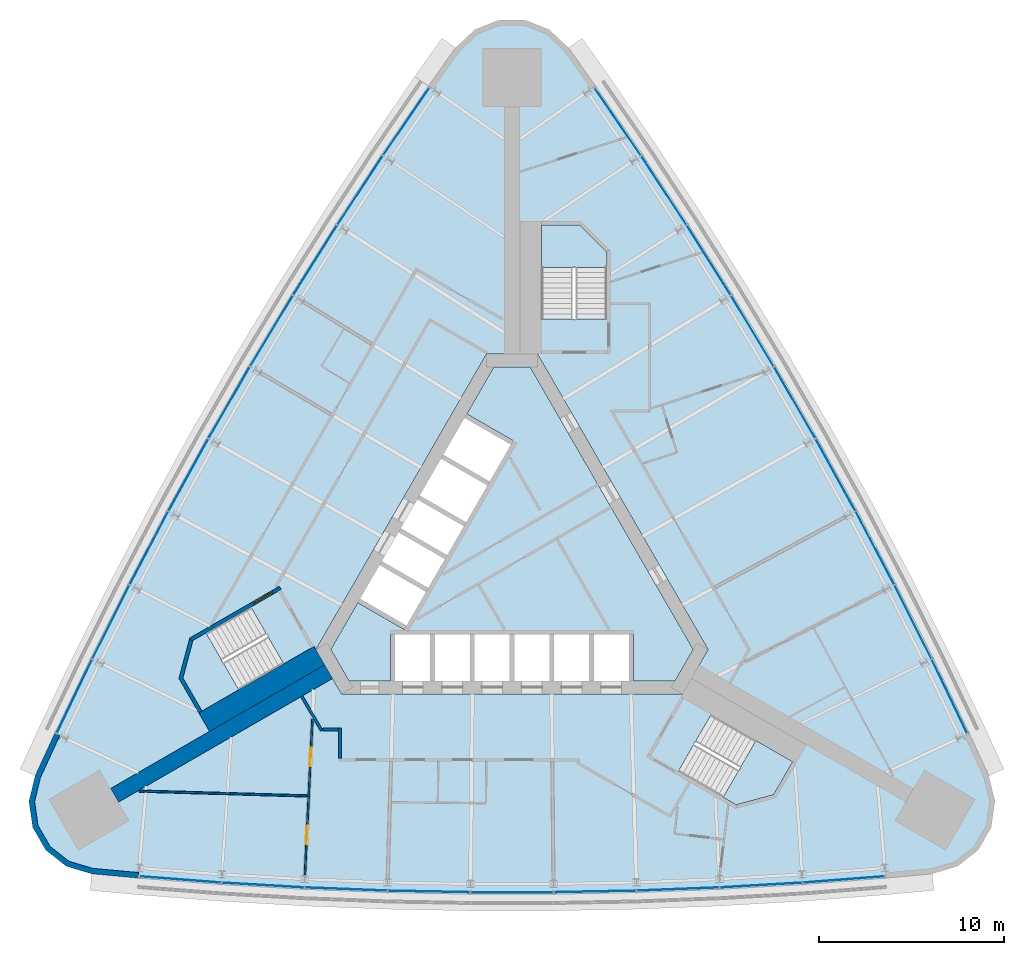
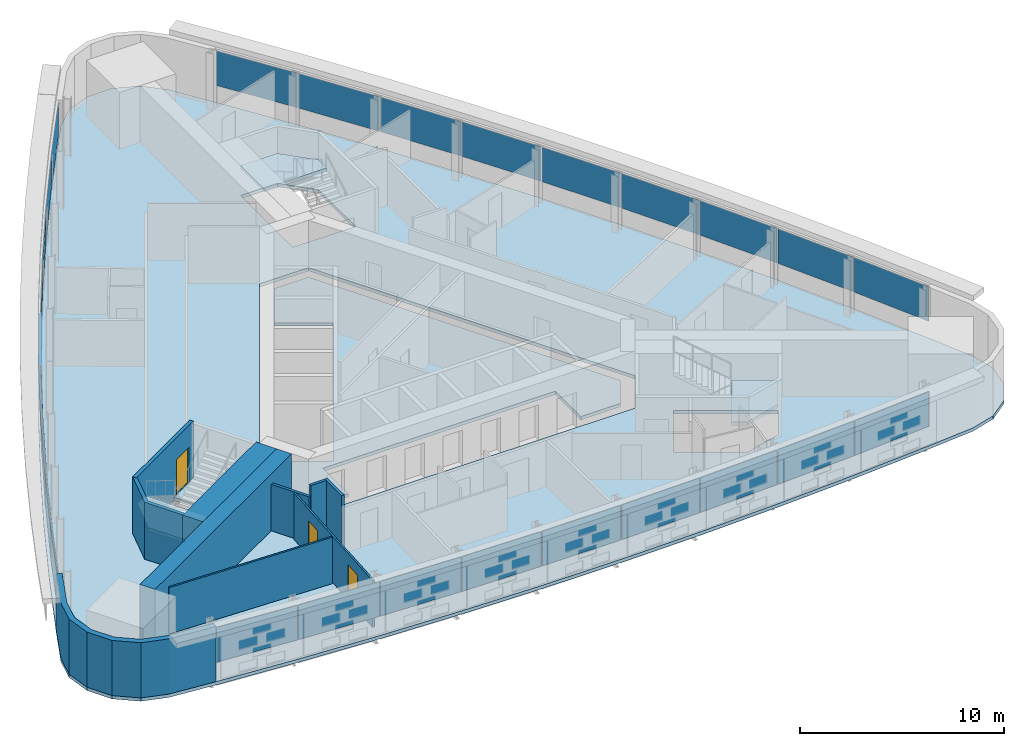
# One storey, part 8 of 14: 27 plates, 10 walls, 5 slabs, 3 doors, 3 openings, 6 elements without a shape of their own.
"""IFC4 building model written with IfcOpenShell, lengths in metres."""

from ifc_helpers import new_model, si_unit, direction, frame, frame_2d, origin, origin_2d, place, context, subcontext, project, spatial, polyline, rectangle, outline, extrude, material, layer, layer_set, type_object, element, fill, aggregate, save


model = new_model("IFC4")

# Units and contexts
model_context = context("Model", 3, precision=1e-05, world=origin(), true_north=direction((0.0, 1.0)))
body_context = subcontext(model_context, "Body", "Model", "MODEL_VIEW")
ifc_project = project(units=[si_unit("LENGTHUNIT", "METRE"), si_unit("AREAUNIT", "SQUARE_METRE"), si_unit("VOLUMEUNIT", "CUBIC_METRE"), si_unit("PLANEANGLEUNIT", "RADIAN"), si_unit("MASSUNIT", "GRAM", prefix="KILO")], contexts=[model_context])

# Site, building, storey
site_placement = place(None, origin())
site = spatial("IfcSite", under=ifc_project, at=site_placement, CompositionType="ELEMENT")
building_placement = place(site_placement, origin())
building = spatial("IfcBuilding", under=site, at=building_placement, Name="Noor Cloister Tower", CompositionType="ELEMENT")
storey_placement = place(building_placement, frame((0.0, 0.0, 76.199951171875)))
storey = spatial("IfcBuildingStorey", under=building, at=storey_placement, Name="L19", CompositionType="ELEMENT", Elevation=76.199951171875)

# Slabs
ifc_material_1 = material(Name="Concrete C40/50", Category="concrete")
ifc_layer_1 = layer(ifc_material_1, 0.199951171875)
ifc_layer_set_1 = layer_set([ifc_layer_1], Name="Core floor slab 200 C40/50")
slab_type_1 = type_object("IfcSlabType", Name="Core floor slab 200 C40/50", PredefinedType="FLOOR", material=ifc_layer_set_1)
slab_1_placement = place(storey_placement, frame((0.0, 0.0, -0.199951171875)))
element("IfcSlab", 1, at=slab_1_placement, inside=storey, type_object=slab_type_1, Name="Core floor L19", PredefinedType="FLOOR", context=body_context, shape_type="SweptSolid", body=[
    extrude(outline(polyline([(-6.574951171875, -6.228271484375), (-6.574951171875, -3.728271484375), (6.574951171875, -3.728271484375), (6.574951171875, -6.228271484375), (8.82470703125, -6.228271484375), (9.80615234375, -4.5283203125), (0.9814453125, 10.75634765625), (-0.9814453125, 10.75634765625), (-2.44384765625, 8.2236328125), (0.067626953125, 6.773681640625), (-5.832275390625, -3.4453125), (-8.34375, -1.995361328125), (-9.80615234375, -4.5283203125), (-8.82470703125, -6.228271484375), (-6.574951171875, -6.228271484375)])), origin(), (0.0, 0.0, 1.0), 0.199951171875),
])
ifc_material_2 = material(Name="Concrete C40/50", Category="concrete")
ifc_layer_2 = layer(ifc_material_2, 0.199951171875)
ifc_layer_set_2 = layer_set([ifc_layer_2], Name="Floor slab 200 C40/50")
slab_type_2 = type_object("IfcSlabType", Name="Floor slab 200 C40/50", PredefinedType="FLOOR", material=ifc_layer_set_2)
slab_2_placement = place(storey_placement, frame((0.0, 0.0, -0.199951171875)))
element("IfcSlab", 2, at=slab_2_placement, inside=storey, type_object=slab_type_2, Name="Floor slab L19", PredefinedType="FLOOR", context=body_context, shape_type="SweptSolid", body=[
    extrude(outline(polyline([(3.05908203125, 28.035888671875), (2.029052734375, 29.013916015625), (0.710205078125, 29.540283203125), (-0.710205078125, 29.540283203125), (-2.029052734375, 29.013916015625), (-3.05908203125, 28.035888671875), (-4.524169921875, 25.96533203125), (-7.06787109375, 22.25341796875), (-9.53955078125, 18.492919921875), (-11.938232421875, 14.685546875), (-14.262939453125, 10.832763671875), (-16.5126953125, 6.935546875), (-18.687255859375, 2.995849609375), (-20.78515625, -0.985107421875), (-22.805908203125, -5.005615234375), (-24.748779296875, -9.064697265625), (-25.809326171875, -11.36865234375), (-26.141357421875, -12.74951171875), (-25.937744140625, -14.1552734375), (-25.227783203125, -15.38525390625), (-24.112060546875, -16.26416015625), (-22.750244140625, -16.6669921875), (-20.224609375, -16.900634765625), (-15.738037109375, -17.24755859375), (-11.24560546875, -17.508056640625), (-6.7490234375, -17.681640625), (-2.25, -17.768310546875), (2.25, -17.768310546875), (6.7490234375, -17.681640625), (11.24560546875, -17.508056640625), (15.738037109375, -17.24755859375), (20.224609375, -16.900634765625), (22.750244140625, -16.6669921875), (24.112060546875, -16.26416015625), (25.227783203125, -15.38525390625), (25.937744140625, -14.1552734375), (26.141357421875, -12.74951171875), (25.809326171875, -11.36865234375), (24.748779296875, -9.064697265625), (22.805908203125, -5.005615234375), (20.78515625, -0.985107421875), (18.687255859375, 2.995849609375), (16.5126953125, 6.935546875), (14.262939453125, 10.832763671875), (11.938232421875, 14.685546875), (9.53955078125, 18.492919921875), (7.06787109375, 22.25341796875), (4.524169921875, 25.96533203125), (3.05908203125, 28.035888671875)]), holes=[polyline([(8.999755859375, -11.126220703125), (12.131591796875, -12.934326171875), (14.1572265625, -12.3916015625), (15.19091796875, -10.601318359375), (10.774658203125, -8.0517578125), (8.999755859375, -11.126220703125)]), polyline([(-17.81005859375, -6.064697265625), (-16.776611328125, -7.85498046875), (-12.3603515625, -5.305419921875), (-14.13525390625, -2.23095703125), (-16.662841796875, -3.690185546875), (-17.267333984375, -4.039306640625), (-17.81005859375, -6.064697265625)]), polyline([(-10.6142578125, -4.5283203125), (-9.228759765625, -6.92822265625), (9.228759765625, -6.92822265625), (10.6142578125, -4.5283203125), (1.3857421875, 11.456298828125), (-1.3857421875, 11.456298828125), (-10.6142578125, -4.5283203125)]), polyline([(3.65283203125, 18.456298828125), (1.585693359375, 18.456298828125), (1.585693359375, 13.35693359375), (5.135498046875, 13.35693359375), (5.135498046875, 16.9736328125), (3.65283203125, 18.456298828125)])]), origin(), (0.0, 0.0, 1.0), 0.199951171875),
])

# Curtain wall, plates
ifc_material_3 = material(Name="Aluminium 6063-T6 anodised", Category="aluminium")
curtain_wall_type = type_object("IfcCurtainWallType", Name="Ribbon curtain wall, lower tower CW1", PredefinedType="NOTDEFINED", material=ifc_material_3)
curtain_wall_1_placement = place(storey_placement, origin())
curtain_wall_1 = element("IfcCurtainWall", 3, at=curtain_wall_1_placement, inside=storey, type_object=curtain_wall_type, Name="CW1 L19 NW run 1", PredefinedType="NOTDEFINED")
ifc_material_4 = material(Name="Clear laminated glass 2 x 8 mm", Category="glass")
ifc_layer_3 = layer(ifc_material_4, 0.028076171875)
ifc_layer_set_3 = layer_set([ifc_layer_3], Name="Glass panel CW1")
plate_type = type_object("IfcPlateType", Name="Glass panel CW1", PredefinedType="CURTAIN_PANEL", material=ifc_layer_set_3)
plate_1_placement = place(storey_placement, frame((-5.724609375, 24.03662109375, 1.08984375), z_axis=(0.0, 0.0, 1.0), x_axis=(-0.56527615209, -0.82490173468, 0.0)))
plate_1 = element("IfcPlate", 4, at=plate_1_placement, type_object=plate_type, Name="CW1 glass panel 1", PredefinedType="CURTAIN_PANEL", context=body_context, shape_type="SweptSolid", body=[
    extrude(rectangle(XDim=4.39892578125, YDim=0.028076171875, at=origin_2d()), origin(), (0.0, 0.0, 1.0), 2.070068359375),
])
plate_2_placement = place(storey_placement, frame((-8.22021484375, 20.318359375, 1.08984375), z_axis=(0.0, 0.0, 1.0), x_axis=(-0.549257685694, -0.835653034881, 0.0)))
plate_2 = element("IfcPlate", 5, at=plate_2_placement, type_object=plate_type, Name="CW1 glass panel 2", PredefinedType="CURTAIN_PANEL", context=body_context, shape_type="SweptSolid", body=[
    extrude(rectangle(XDim=4.43798828125, YDim=0.028076171875, at=origin_2d()), origin(), (0.0, 0.0, 1.0), 2.070068359375),
])
plate_3_placement = place(storey_placement, frame((-10.654296875, 16.535888671875, 1.08984375), z_axis=(0.0, 0.0, 1.0), x_axis=(-0.533034810395, -0.846093310993, 0.0)))
plate_3 = element("IfcPlate", 6, at=plate_3_placement, type_object=plate_type, Name="CW1 glass panel 3", PredefinedType="CURTAIN_PANEL", context=body_context, shape_type="SweptSolid", body=[
    extrude(rectangle(XDim=4.43798828125, YDim=0.028076171875, at=origin_2d()), origin(), (0.0, 0.0, 1.0), 2.070068359375),
])
plate_4_placement = place(storey_placement, frame((-13.014892578125, 12.70751953125, 1.08984375), z_axis=(0.0, 0.0, 1.0), x_axis=(-0.516613534697, -0.856218696226, 0.0)))
plate_4 = element("IfcPlate", 7, at=plate_4_placement, type_object=plate_type, Name="CW1 glass panel 4", PredefinedType="CURTAIN_PANEL", context=body_context, shape_type="SweptSolid", body=[
    extrude(rectangle(XDim=4.43798828125, YDim=0.028076171875, at=origin_2d()), origin(), (0.0, 0.0, 1.0), 2.070068359375),
])
plate_5_placement = place(storey_placement, frame((-15.30126953125, 8.834228515625, 1.08984375), z_axis=(0.0, 0.0, 1.0), x_axis=(-0.5, -0.866025403784, 0.0)))
plate_5 = element("IfcPlate", 8, at=plate_5_placement, type_object=plate_type, Name="CW1 glass panel 5", PredefinedType="CURTAIN_PANEL", context=body_context, shape_type="SweptSolid", body=[
    extrude(rectangle(XDim=4.43798828125, YDim=0.028076171875, at=origin_2d()), origin(), (0.0, 0.0, 1.0), 2.070068359375),
])
plate_6_placement = place(storey_placement, frame((-17.512451171875, 4.91748046875, 1.08984375), z_axis=(0.0, 0.0, 1.0), x_axis=(-0.483200374778, -0.8755097931, 0.0)))
plate_6 = element("IfcPlate", 9, at=plate_6_placement, type_object=plate_type, Name="CW1 glass panel 6", PredefinedType="CURTAIN_PANEL", context=body_context, shape_type="SweptSolid", body=[
    extrude(rectangle(XDim=4.43798828125, YDim=0.028076171875, at=origin_2d()), origin(), (0.0, 0.0, 1.0), 2.070068359375),
])
plate_7_placement = place(storey_placement, frame((-19.647705078125, 0.958740234375, 1.08984375), z_axis=(0.0, 0.0, 1.0), x_axis=(-0.466220896094, -0.8846683424, 0.0)))
plate_7 = element("IfcPlate", 10, at=plate_7_placement, type_object=plate_type, Name="CW1 glass panel 7", PredefinedType="CURTAIN_PANEL", context=body_context, shape_type="SweptSolid", body=[
    extrude(rectangle(XDim=4.43798828125, YDim=0.028076171875, at=origin_2d()), origin(), (0.0, 0.0, 1.0), 2.070068359375),
])
plate_8_placement = place(storey_placement, frame((-21.706298828125, -3.040283203125, 1.08984375), z_axis=(0.0, 0.0, 1.0), x_axis=(-0.449067914109, -0.893497626476, 0.0)))
plate_8 = element("IfcPlate", 11, at=plate_8_placement, type_object=plate_type, Name="CW1 glass panel 8", PredefinedType="CURTAIN_PANEL", context=body_context, shape_type="SweptSolid", body=[
    extrude(rectangle(XDim=4.43798828125, YDim=0.028076171875, at=origin_2d()), origin(), (0.0, 0.0, 1.0), 2.070068359375),
])
plate_9_placement = place(storey_placement, frame((-23.6787109375, -7.060791015625, 1.08984375), z_axis=(0.0, 0.0, 1.0), x_axis=(-0.431747781814, -0.901994375203, 0.0)))
plate_9 = element("IfcPlate", 12, at=plate_9_placement, type_object=plate_type, Name="CW1 glass panel 9", PredefinedType="CURTAIN_PANEL", context=body_context, shape_type="SweptSolid", body=[
    extrude(rectangle(XDim=4.39892578125, YDim=0.028076171875, at=origin_2d()), origin(), (0.0, 0.0, 1.0), 2.070068359375),
])
aggregate(curtain_wall_1, [plate_1, plate_2, plate_3, plate_4, plate_5, plate_6, plate_7, plate_8, plate_9])

curtain_wall_2_placement = place(storey_placement, origin())
curtain_wall_2 = element("IfcCurtainWall", 13, at=curtain_wall_2_placement, inside=storey, type_object=curtain_wall_type, Name="CW1 L19 S run 2", PredefinedType="NOTDEFINED")
plate_10_placement = place(storey_placement, frame((-17.9541015625, -16.97607421875, 1.08984375), z_axis=(0.0, 0.0, 1.0), x_axis=(0.997023933904, -0.077092640523, 0.0)))
plate_10 = element("IfcPlate", 14, at=plate_10_placement, type_object=plate_type, Name="CW1 glass panel 1", PredefinedType="CURTAIN_PANEL", context=body_context, shape_type="SweptSolid", body=[
    extrude(rectangle(XDim=4.39892578125, YDim=0.028076171875, at=origin_2d()), origin(), (0.0, 0.0, 1.0), 2.070068359375),
])
plate_11_placement = place(storey_placement, frame((-13.486083984375, -17.278076171875, 1.08984375), z_axis=(0.0, 0.0, 1.0), x_axis=(0.998325599804, -0.057844591595, 0.0)))
plate_11 = element("IfcPlate", 15, at=plate_11_placement, type_object=plate_type, Name="CW1 glass panel 2", PredefinedType="CURTAIN_PANEL", context=body_context, shape_type="SweptSolid", body=[
    extrude(rectangle(XDim=4.43798828125, YDim=0.028076171875, at=origin_2d()), origin(), (0.0, 0.0, 1.0), 2.070068359375),
])
plate_12_placement = place(storey_placement, frame((-8.993408203125, -17.494873046875, 1.08984375), z_axis=(0.0, 0.0, 1.0), x_axis=(0.99925570649, -0.038575031407, 0.0)))
plate_12 = element("IfcPlate", 16, at=plate_12_placement, type_object=plate_type, Name="CW1 glass panel 3", PredefinedType="CURTAIN_PANEL", context=body_context, shape_type="SweptSolid", body=[
    extrude(rectangle(XDim=4.43798828125, YDim=0.028076171875, at=origin_2d()), origin(), (0.0, 0.0, 1.0), 2.070068359375),
])
plate_13_placement = place(storey_placement, frame((-4.49755859375, -17.625, 1.08984375), z_axis=(0.0, 0.0, 1.0), x_axis=(0.999813909476, -0.019291096874, 0.0)))
plate_13 = element("IfcPlate", 17, at=plate_13_placement, type_object=plate_type, Name="CW1 glass panel 4", PredefinedType="CURTAIN_PANEL", context=body_context, shape_type="SweptSolid", body=[
    extrude(rectangle(XDim=4.43798828125, YDim=0.028076171875, at=origin_2d()), origin(), (0.0, 0.0, 1.0), 2.070068359375),
])
plate_14_placement = place(storey_placement, frame((0.0, -17.668212890625, 1.08984375), z_axis=(0.0, 0.0, 1.0), x_axis=(1.0, 0.0, 0.0)))
plate_14 = element("IfcPlate", 18, at=plate_14_placement, type_object=plate_type, Name="CW1 glass panel 5", PredefinedType="CURTAIN_PANEL", context=body_context, shape_type="SweptSolid", body=[
    extrude(rectangle(XDim=4.43798828125, YDim=0.028076171875, at=origin_2d()), origin(), (0.0, 0.0, 1.0), 2.070068359375),
])
plate_15_placement = place(storey_placement, frame((4.49755859375, -17.625, 1.08984375), z_axis=(0.0, 0.0, 1.0), x_axis=(0.999813909476, 0.019291096874, 0.0)))
plate_15 = element("IfcPlate", 19, at=plate_15_placement, type_object=plate_type, Name="CW1 glass panel 6", PredefinedType="CURTAIN_PANEL", context=body_context, shape_type="SweptSolid", body=[
    extrude(rectangle(XDim=4.43798828125, YDim=0.028076171875, at=origin_2d()), origin(), (0.0, 0.0, 1.0), 2.070068359375),
])
plate_16_placement = place(storey_placement, frame((8.993408203125, -17.494873046875, 1.08984375), z_axis=(0.0, 0.0, 1.0), x_axis=(0.99925570649, 0.038575031407, 0.0)))
plate_16 = element("IfcPlate", 20, at=plate_16_placement, type_object=plate_type, Name="CW1 glass panel 7", PredefinedType="CURTAIN_PANEL", context=body_context, shape_type="SweptSolid", body=[
    extrude(rectangle(XDim=4.43798828125, YDim=0.028076171875, at=origin_2d()), origin(), (0.0, 0.0, 1.0), 2.070068359375),
])
plate_17_placement = place(storey_placement, frame((13.486083984375, -17.278076171875, 1.08984375), z_axis=(0.0, 0.0, 1.0), x_axis=(0.998325599804, 0.057844591595, 0.0)))
plate_17 = element("IfcPlate", 21, at=plate_17_placement, type_object=plate_type, Name="CW1 glass panel 8", PredefinedType="CURTAIN_PANEL", context=body_context, shape_type="SweptSolid", body=[
    extrude(rectangle(XDim=4.43798828125, YDim=0.028076171875, at=origin_2d()), origin(), (0.0, 0.0, 1.0), 2.070068359375),
])
plate_18_placement = place(storey_placement, frame((17.9541015625, -16.97607421875, 1.08984375), z_axis=(0.0, 0.0, 1.0), x_axis=(0.997023933904, 0.077092640523, 0.0)))
plate_18 = element("IfcPlate", 22, at=plate_18_placement, type_object=plate_type, Name="CW1 glass panel 9", PredefinedType="CURTAIN_PANEL", context=body_context, shape_type="SweptSolid", body=[
    extrude(rectangle(XDim=4.39892578125, YDim=0.028076171875, at=origin_2d()), origin(), (0.0, 0.0, 1.0), 2.070068359375),
])
aggregate(curtain_wall_2, [plate_10, plate_11, plate_12, plate_13, plate_14, plate_15, plate_16, plate_17, plate_18])

curtain_wall_3_placement = place(storey_placement, origin())
curtain_wall_3 = element("IfcCurtainWall", 23, at=curtain_wall_3_placement, inside=storey, type_object=curtain_wall_type, Name="CW1 L19 NE run 3", PredefinedType="NOTDEFINED")
plate_19_placement = place(storey_placement, frame((23.6787109375, -7.060791015625, 1.08984375), z_axis=(0.0, 0.0, 1.0), x_axis=(-0.431747781814, 0.901994375203, 0.0)))
plate_19 = element("IfcPlate", 24, at=plate_19_placement, type_object=plate_type, Name="CW1 glass panel 1", PredefinedType="CURTAIN_PANEL", context=body_context, shape_type="SweptSolid", body=[
    extrude(rectangle(XDim=4.39892578125, YDim=0.028076171875, at=origin_2d()), origin(), (0.0, 0.0, 1.0), 2.070068359375),
])
plate_20_placement = place(storey_placement, frame((21.706298828125, -3.040283203125, 1.08984375), z_axis=(0.0, 0.0, 1.0), x_axis=(-0.449067914109, 0.893497626476, 0.0)))
plate_20 = element("IfcPlate", 25, at=plate_20_placement, type_object=plate_type, Name="CW1 glass panel 2", PredefinedType="CURTAIN_PANEL", context=body_context, shape_type="SweptSolid", body=[
    extrude(rectangle(XDim=4.43798828125, YDim=0.028076171875, at=origin_2d()), origin(), (0.0, 0.0, 1.0), 2.070068359375),
])
plate_21_placement = place(storey_placement, frame((19.647705078125, 0.958740234375, 1.08984375), z_axis=(0.0, 0.0, 1.0), x_axis=(-0.466220896094, 0.8846683424, 0.0)))
plate_21 = element("IfcPlate", 26, at=plate_21_placement, type_object=plate_type, Name="CW1 glass panel 3", PredefinedType="CURTAIN_PANEL", context=body_context, shape_type="SweptSolid", body=[
    extrude(rectangle(XDim=4.43798828125, YDim=0.028076171875, at=origin_2d()), origin(), (0.0, 0.0, 1.0), 2.070068359375),
])
plate_22_placement = place(storey_placement, frame((17.512451171875, 4.91748046875, 1.08984375), z_axis=(0.0, 0.0, 1.0), x_axis=(-0.483200374778, 0.8755097931, 0.0)))
plate_22 = element("IfcPlate", 27, at=plate_22_placement, type_object=plate_type, Name="CW1 glass panel 4", PredefinedType="CURTAIN_PANEL", context=body_context, shape_type="SweptSolid", body=[
    extrude(rectangle(XDim=4.43798828125, YDim=0.028076171875, at=origin_2d()), origin(), (0.0, 0.0, 1.0), 2.070068359375),
])
plate_23_placement = place(storey_placement, frame((15.30126953125, 8.834228515625, 1.08984375), z_axis=(0.0, 0.0, 1.0), x_axis=(-0.5, 0.866025403784, 0.0)))
plate_23 = element("IfcPlate", 28, at=plate_23_placement, type_object=plate_type, Name="CW1 glass panel 5", PredefinedType="CURTAIN_PANEL", context=body_context, shape_type="SweptSolid", body=[
    extrude(rectangle(XDim=4.43798828125, YDim=0.028076171875, at=origin_2d()), origin(), (0.0, 0.0, 1.0), 2.070068359375),
])
plate_24_placement = place(storey_placement, frame((13.014892578125, 12.70751953125, 1.08984375), z_axis=(0.0, 0.0, 1.0), x_axis=(-0.516613534697, 0.856218696226, 0.0)))
plate_24 = element("IfcPlate", 29, at=plate_24_placement, type_object=plate_type, Name="CW1 glass panel 6", PredefinedType="CURTAIN_PANEL", context=body_context, shape_type="SweptSolid", body=[
    extrude(rectangle(XDim=4.43798828125, YDim=0.028076171875, at=origin_2d()), origin(), (0.0, 0.0, 1.0), 2.070068359375),
])
plate_25_placement = place(storey_placement, frame((10.654296875, 16.535888671875, 1.08984375), z_axis=(0.0, 0.0, 1.0), x_axis=(-0.533034810395, 0.846093310993, 0.0)))
plate_25 = element("IfcPlate", 30, at=plate_25_placement, type_object=plate_type, Name="CW1 glass panel 7", PredefinedType="CURTAIN_PANEL", context=body_context, shape_type="SweptSolid", body=[
    extrude(rectangle(XDim=4.43798828125, YDim=0.028076171875, at=origin_2d()), origin(), (0.0, 0.0, 1.0), 2.070068359375),
])
plate_26_placement = place(storey_placement, frame((8.22021484375, 20.318359375, 1.08984375), z_axis=(0.0, 0.0, 1.0), x_axis=(-0.549257685694, 0.835653034881, 0.0)))
plate_26 = element("IfcPlate", 31, at=plate_26_placement, type_object=plate_type, Name="CW1 glass panel 8", PredefinedType="CURTAIN_PANEL", context=body_context, shape_type="SweptSolid", body=[
    extrude(rectangle(XDim=4.43798828125, YDim=0.028076171875, at=origin_2d()), origin(), (0.0, 0.0, 1.0), 2.070068359375),
])
plate_27_placement = place(storey_placement, frame((5.724609375, 24.03662109375, 1.08984375), z_axis=(0.0, 0.0, 1.0), x_axis=(-0.56527615209, 0.82490173468, 0.0)))
plate_27 = element("IfcPlate", 32, at=plate_27_placement, type_object=plate_type, Name="CW1 glass panel 9", PredefinedType="CURTAIN_PANEL", context=body_context, shape_type="SweptSolid", body=[
    extrude(rectangle(XDim=4.39892578125, YDim=0.028076171875, at=origin_2d()), origin(), (0.0, 0.0, 1.0), 2.070068359375),
])
aggregate(curtain_wall_3, [plate_19, plate_20, plate_21, plate_22, plate_23, plate_24, plate_25, plate_26, plate_27])

# Stair, slab
ifc_material_5 = material(Name="Concrete C40/50", Category="concrete")
stair_type = type_object("IfcStairType", Name="Exit stair 22 risers", PredefinedType="HALF_TURN_STAIR", material=ifc_material_5)
stair_1_placement = place(storey_placement, origin())
stair_1 = element("IfcStair", 33, at=stair_1_placement, inside=storey, type_object=stair_type, Name="Exit stair ST1 L19", PredefinedType="HALF_TURN_STAIR")
ifc_material_6 = material(Name="Concrete C40/50", Category="concrete")
ifc_layer_4 = layer(ifc_material_6, 0.199951171875)
ifc_layer_set_4 = layer_set([ifc_layer_4], Name="Stair landing 200 C40/50")
slab_type_3 = type_object("IfcSlabType", Name="Stair landing 200 C40/50", PredefinedType="LANDING", material=ifc_layer_set_4)
slab_3_placement = place(storey_placement, frame((0.0, 0.0, 1.60009765625)))
slab_3 = element("IfcSlab", 34, at=slab_3_placement, type_object=slab_type_3, Name="ST1 landing 1", PredefinedType="LANDING", context=body_context, shape_type="SweptSolid", body=[
    extrude(outline(polyline([(5.135498046875, 16.15576171875), (5.135498046875, 16.9736328125), (3.65283203125, 18.456298828125), (1.585693359375, 18.456298828125), (1.585693359375, 16.15576171875), (5.135498046875, 16.15576171875)])), origin(), (0.0, 0.0, 1.0), 0.199951171875),
])
aggregate(stair_1, [slab_3])

stair_2_placement = place(storey_placement, origin())
stair_2 = element("IfcStair", 35, at=stair_2_placement, inside=storey, type_object=stair_type, Name="Exit stair ST2 L19", PredefinedType="HALF_TURN_STAIR")
slab_4_placement = place(storey_placement, frame((0.0, 0.0, 1.60009765625)))
slab_4 = element("IfcSlab", 36, at=slab_4_placement, type_object=slab_type_3, Name="ST2 landing 1", PredefinedType="LANDING", context=body_context, shape_type="SweptSolid", body=[
    extrude(outline(polyline([(-16.55908203125, -3.63037109375), (-17.267333984375, -4.039306640625), (-17.81005859375, -6.064697265625), (-16.776611328125, -7.85498046875), (-14.7841796875, -6.70458984375), (-16.55908203125, -3.63037109375)])), origin(), (0.0, 0.0, 1.0), 0.199951171875),
])
aggregate(stair_2, [slab_4])

stair_3_placement = place(storey_placement, origin())
stair_3 = element("IfcStair", 37, at=stair_3_placement, inside=storey, type_object=stair_type, Name="Exit stair ST3 L19", PredefinedType="HALF_TURN_STAIR")
slab_5_placement = place(storey_placement, frame((0.0, 0.0, 1.60009765625)))
slab_5 = element("IfcSlab", 38, at=slab_5_placement, type_object=slab_type_3, Name="ST3 landing 1", PredefinedType="LANDING", context=body_context, shape_type="SweptSolid", body=[
    extrude(outline(polyline([(11.423583984375, -12.525390625), (12.131591796875, -12.934326171875), (14.1572265625, -12.3916015625), (15.19091796875, -10.601318359375), (13.198486328125, -9.451171875), (11.423583984375, -12.525390625)])), origin(), (0.0, 0.0, 1.0), 0.199951171875),
])
aggregate(stair_3, [slab_5])

# Walls
ifc_material_7 = material(Name="Concrete C80/95", Category="concrete")
ifc_layer_5 = layer(ifc_material_7, 0.85009765625)
ifc_layer_set_5 = layer_set([ifc_layer_5], Name="Buttress wall 850 C80/95")
wall_type_1 = type_object("IfcWallType", Name="Buttress wall 850 C80/95", PredefinedType="SHEAR", material=ifc_layer_set_5)
wall_1_placement = place(storey_placement, frame((-9.921630859375, -5.728271484375, -0.199951171875), z_axis=(0.0, 0.0, 1.0), x_axis=(-0.866026077102, -0.499998833779, 0.0)))
element("IfcWall", 39, at=wall_1_placement, inside=storey, type_object=wall_type_1, Name="Buttress wall SW L19", PredefinedType="SHEAR", context=body_context, shape_type="SweptSolid", body=[
    extrude(rectangle(XDim=13.38134765625, YDim=0.85009765625, at=frame_2d((6.690673828125, 0.0))), origin(), (0.0, 0.0, 1.0), 3.60009765625),
])
ifc_material_8 = material(Name="Gypsum board partition on steel studs, 150 mm", Category="steel")
ifc_layer_6 = layer(ifc_material_8, 0.14990234375)
ifc_layer_set_6 = layer_set([ifc_layer_6], Name="Flat wall 150")
wall_type_2 = type_object("IfcWallType", Name="Flat wall 150", PredefinedType="PARTITIONING", material=ifc_layer_set_6)
wall_2_placement = place(storey_placement, frame((-11.376220703125, -7.058837890625, 0.0), z_axis=(0.0, 0.0, 1.0), x_axis=(0.500076779081, -0.865981070823, 0.0)))
element("IfcWall", 40, at=wall_2_placement, inside=storey, type_object=wall_type_2, Name="Flat wall 150 L19 012", PredefinedType="PARTITIONING", context=body_context, shape_type="SweptSolid", body=[
    extrude(rectangle(XDim=2.147216796875, YDim=0.14990234375, at=frame_2d((1.07373046875, 0.0))), origin(), (0.0, 0.0, 1.0), 2.778076171875),
])
wall_3_placement = place(storey_placement, frame((-9.3037109375, -10.42822265625, 0.0), z_axis=(0.0, 0.0, 1.0), x_axis=(0.0, 1.0, 0.0)))
element("IfcWall", 41, at=wall_3_placement, inside=storey, type_object=wall_type_2, Name="Flat wall 150 L19 014", PredefinedType="PARTITIONING", context=body_context, shape_type="SweptSolid", body=[
    extrude(rectangle(XDim=1.64990234375, YDim=0.14990234375, at=frame_2d((0.824951171875, 0.0))), origin(), (0.0, 0.0, 1.0), 3.400146484375),
])
wall_4_placement = place(storey_placement, frame((-10.23779296875, -8.853271484375, 0.0), z_axis=(0.0, 0.0, 1.0), x_axis=(1.0, 0.0, 0.0)))
element("IfcWall", 42, at=wall_4_placement, inside=storey, type_object=wall_type_2, Name="Flat wall 150 L19 015", PredefinedType="PARTITIONING", context=body_context, shape_type="SweptSolid", body=[
    extrude(rectangle(XDim=0.859130859375, YDim=0.14990234375, at=frame_2d((0.4296875, 0.0))), origin(), (0.0, 0.0, 1.0), 3.400146484375),
])
ifc_material_9 = material(Name="Limestone", Category="masonry")
ifc_layer_7 = layer(ifc_material_9, 0.300048828125)
ifc_layer_set_7 = layer_set([ifc_layer_7], Name="Limestone cladding 300")
wall_type_3 = type_object("IfcWallType", Name="Limestone cladding 300", PredefinedType="NOTDEFINED", material=ifc_layer_set_7)
wall_5_placement = place(storey_placement, origin())
element("IfcWall", 43, at=wall_5_placement, inside=storey, type_object=wall_type_3, Name="Limestone pier cladding L19 1.1", PredefinedType="NOTDEFINED", context=body_context, shape_type="SweptSolid", body=[
    extrude(outline(polyline([(-24.748779296875, -9.064697265625), (-25.809326171875, -11.36865234375), (-26.141357421875, -12.74951171875), (-25.937744140625, -14.1552734375), (-25.227783203125, -15.38525390625), (-24.112060546875, -16.26416015625), (-22.750244140625, -16.6669921875), (-20.224609375, -16.900634765625), (-20.197021484375, -16.60205078125), (-22.693359375, -16.37109375), (-23.9716796875, -15.992919921875), (-24.99658203125, -15.185302734375), (-25.649169921875, -14.05517578125), (-25.836181640625, -12.763671875), (-25.5244140625, -11.467529296875), (-24.476318359375, -9.18994140625), (-24.748779296875, -9.064697265625)])), origin(), (0.0, 0.0, 1.0), 3.300048828125),
])
ifc_material_10 = material(Name="Gypsum board partition on steel studs, 100 mm", Category="steel")
ifc_layer_8 = layer(ifc_material_10, 0.10009765625)
ifc_layer_set_8 = layer_set([ifc_layer_8], Name="Partition 100")
wall_type_4 = type_object("IfcWallType", Name="Partition 100", PredefinedType="PARTITIONING", material=ifc_layer_set_8)
wall_6_placement = place(storey_placement, frame((-11.088623046875, -12.452880859375, 0.0), z_axis=(0.0, 0.0, 1.0), x_axis=(-0.999581884532, 0.028914634982, 0.0)))
element("IfcWall", 44, at=wall_6_placement, inside=storey, type_object=wall_type_4, Name="Partition 100 L19 022", PredefinedType="PARTITIONING", context=body_context, shape_type="SweptSolid", body=[
    extrude(rectangle(XDim=9.09375, YDim=0.10009765625, at=frame_2d((4.546875, 0.0))), origin(), (0.0, 0.0, 1.0), 2.778076171875),
])

# Wall, openings, doors
wall_7_placement = place(storey_placement, frame((-11.20703125, -16.708740234375, 0.0), z_axis=(0.0, 0.0, 1.0), x_axis=(0.048196786961, 0.998837859578, 0.0)))
wall_7 = element("IfcWall", 45, at=wall_7_placement, inside=storey, type_object=wall_type_4, Name="Partition 100 L19 024", PredefinedType="PARTITIONING", context=body_context, shape_type="SweptSolid", body=[
    extrude(rectangle(XDim=8.428955078125, YDim=0.10009765625, at=frame_2d((4.21435546875, 0.0))), origin(), (0.0, 0.0, 1.0), 2.778076171875),
])
opening_1_placement = place(wall_7_placement, frame((5.8681640625, 0.0, 0.0)))
opening_1 = element("IfcOpeningElement", 46, at=opening_1_placement, cuts=wall_7, Name="Opening L19-015", PredefinedType="OPENING", context=body_context, shape_type="SweptSolid", body=[
    extrude(rectangle(XDim=1.0, YDim=2.10009765625, at=frame_2d((0.5, 1.050048828125))), frame((0.0, 0.06005859375, 0.0), z_axis=(0.0, -1.0, 0.0), x_axis=(1.0, 0.0, 0.0)), (0.0, 0.0, 1.0), 0.1201171875),
])
opening_2_placement = place(wall_7_placement, frame((1.635009765625, 0.0, 0.0)))
opening_2 = element("IfcOpeningElement", 47, at=opening_2_placement, cuts=wall_7, Name="Opening L19-016", PredefinedType="OPENING", context=body_context, shape_type="SweptSolid", body=[
    extrude(rectangle(XDim=1.0, YDim=2.10009765625, at=frame_2d((0.5, 1.050048828125))), frame((0.0, 0.06005859375, 0.0), z_axis=(0.0, -1.0, 0.0), x_axis=(1.0, 0.0, 0.0)), (0.0, 0.0, 1.0), 0.1201171875),
])
ifc_material_11 = material(Name="Timber door leaf with steel frame", Category="steel")
door_type_1 = type_object("IfcDoorType", Name="Interior door 1000", OperationType="NOTDEFINED", PredefinedType="DOOR", material=ifc_material_11)
door_1_placement = place(opening_1_placement, origin())
door_1 = element("IfcDoor", 48, at=door_1_placement, inside=storey, type_object=door_type_1, Name="Interior door 1000 L19-015", OperationType="SINGLE_SWING_RIGHT", OverallHeight=2.10009765625, OverallWidth=1.0, PredefinedType="DOOR", context=body_context, shape_type="SweptSolid", body=[
    extrude(rectangle(XDim=1.0, YDim=2.10009765625, at=frame_2d((0.5, 1.050048828125))), frame((0.0, 0.02490234375, 0.0), z_axis=(0.0, -1.0, 0.0), x_axis=(1.0, 0.0, 0.0)), (0.0, 0.0, 1.0), 0.050048828125),
])
fill(opening_1, door_1)
door_2_placement = place(opening_2_placement, origin())
door_2 = element("IfcDoor", 49, at=door_2_placement, inside=storey, type_object=door_type_1, Name="Interior door 1000 L19-016", OperationType="SINGLE_SWING_LEFT", OverallHeight=2.10009765625, OverallWidth=1.0, PredefinedType="DOOR", context=body_context, shape_type="SweptSolid", body=[
    extrude(rectangle(XDim=1.0, YDim=2.10009765625, at=frame_2d((0.5, 1.050048828125))), frame((0.0, 0.02490234375, 0.0), z_axis=(0.0, -1.0, 0.0), x_axis=(1.0, 0.0, 0.0)), (0.0, 0.0, 1.0), 0.050048828125),
])
fill(opening_2, door_2)

# Wall
ifc_material_12 = material(Name="Concrete C80/95", Category="concrete")
ifc_layer_9 = layer(ifc_material_12, 1.160888671875)
ifc_layer_set_9 = layer_set([ifc_layer_9], Name="Stair enclosure wall 1161 C80/95")
wall_type_5 = type_object("IfcWallType", Name="Stair enclosure wall 1161 C80/95", PredefinedType="SHEAR", material=ifc_layer_set_9)
wall_8_placement = place(storey_placement, frame((-10.42431640625, -4.857666015625, -0.199951171875), z_axis=(0.0, 0.0, 1.0), x_axis=(-0.866033125095, -0.499986626058, 0.0)))
element("IfcWall", 50, at=wall_8_placement, inside=storey, type_object=wall_type_5, Name="Stair enclosure wall ST2 L19 riser side", PredefinedType="SHEAR", context=body_context, shape_type="SweptSolid", body=[
    extrude(rectangle(XDim=7.199951171875, YDim=1.16064453125, at=frame_2d((3.60009765625, 0.0))), origin(), (0.0, 0.0, 1.0), 3.60009765625),
])

# Wall, opening, door
ifc_material_13 = material(Name="Concrete C80/95", Category="concrete")
ifc_layer_10 = layer(ifc_material_13, 0.199951171875)
ifc_layer_set_10 = layer_set([ifc_layer_10], Name="Stair enclosure wall 200 C80/95")
wall_type_6 = type_object("IfcWallType", Name="Stair enclosure wall 200 C80/95", PredefinedType="SHEAR", material=ifc_layer_set_10)
wall_9_placement = place(storey_placement, frame((-12.539306640625, -1.194091796875, -0.199951171875), z_axis=(0.0, 0.0, 1.0), x_axis=(-0.866045472092, -0.499965239061, 0.0)))
wall_9 = element("IfcWall", 51, at=wall_9_placement, inside=storey, type_object=wall_type_6, Name="Stair enclosure wall ST2 L19 outer side", PredefinedType="SHEAR", context=body_context, shape_type="SweptSolid", body=[
    extrude(rectangle(XDim=5.60009765625, YDim=0.199951171875, at=frame_2d((2.800048828125, 0.0))), origin(), (0.0, 0.0, 1.0), 3.60009765625),
])
opening_3_placement = place(wall_9_placement, frame((0.449951171875, 0.0, 0.199951171875)))
opening_3 = element("IfcOpeningElement", 52, at=opening_3_placement, cuts=wall_9, Name="Opening L19-ST2C", PredefinedType="OPENING", context=body_context, shape_type="SweptSolid", body=[
    extrude(rectangle(XDim=1.199951171875, YDim=2.10009765625, at=frame_2d((0.60009765625, 1.050048828125))), frame((0.0, 0.10986328125, 0.0), z_axis=(0.0, -1.0, 0.0), x_axis=(1.0, 0.0, 0.0)), (0.0, 0.0, 1.0), 0.219970703125),
])
ifc_material_14 = material(Name="Steel", Category="steel")
door_type_2 = type_object("IfcDoorType", Name="Stair door 1200 x 2100 FD120", OperationType="SINGLE_SWING_LEFT", PredefinedType="DOOR", material=ifc_material_14)
door_3_placement = place(opening_3_placement, origin())
door_3 = element("IfcDoor", 53, at=door_3_placement, inside=storey, type_object=door_type_2, Name="Stair door ST2 L19", OperationType="SINGLE_SWING_LEFT", OverallHeight=2.10009765625, OverallWidth=1.199951171875, PredefinedType="DOOR", context=body_context, shape_type="SweptSolid", body=[
    extrude(rectangle(XDim=1.199951171875, YDim=2.10009765625, at=frame_2d((0.60009765625, 1.050048828125))), frame((0.0, 0.02490234375, 0.0), z_axis=(0.0, -1.0, 0.0), x_axis=(1.0, 0.0, 0.0)), (0.0, 0.0, 1.0), 0.050048828125),
])
fill(opening_3, door_3)

# Wall
ifc_material_15 = material(Name="Concrete C80/95", Category="concrete")
wall_type_7 = type_object("IfcWallType", Name="Stair far end wall C80/95", PredefinedType="SHEAR", material=ifc_material_15)
wall_10_placement = place(storey_placement, frame((0.0, 0.0, -0.199951171875)))
element("IfcWall", 54, at=wall_10_placement, inside=storey, type_object=wall_type_7, Name="Stair enclosure wall ST2 L19 far end", PredefinedType="SHEAR", context=body_context, shape_type="SweptSolid", body=[
    extrude(outline(polyline([(-17.439208984375, -3.907470703125), (-18.024658203125, -6.093017578125), (-16.94970703125, -7.955078125), (-16.776611328125, -7.85498046875), (-17.81005859375, -6.064697265625), (-17.267333984375, -4.039306640625), (-17.339111328125, -4.08056640625), (-17.339111328125, -4.08056640625), (-17.339111328125, -4.08056640625), (-17.339111328125, -4.08056640625), (-17.339111328125, -4.08056640625), (-17.339111328125, -4.08056640625), (-17.339111328125, -4.08056640625), (-17.339111328125, -4.08056640625), (-17.339111328125, -4.08056640625), (-17.339111328125, -4.08056640625), (-17.339111328125, -4.08056640625), (-17.339111328125, -4.08056640625), (-17.339111328125, -4.08056640625), (-17.339111328125, -4.08056640625), (-17.339111328125, -4.08056640625), (-17.339111328125, -4.08056640625), (-17.339111328125, -4.08056640625), (-17.439208984375, -3.907470703125)])), origin(), (0.0, 0.0, 1.0), 3.60009765625),
])

save(model, "model.ifc")
